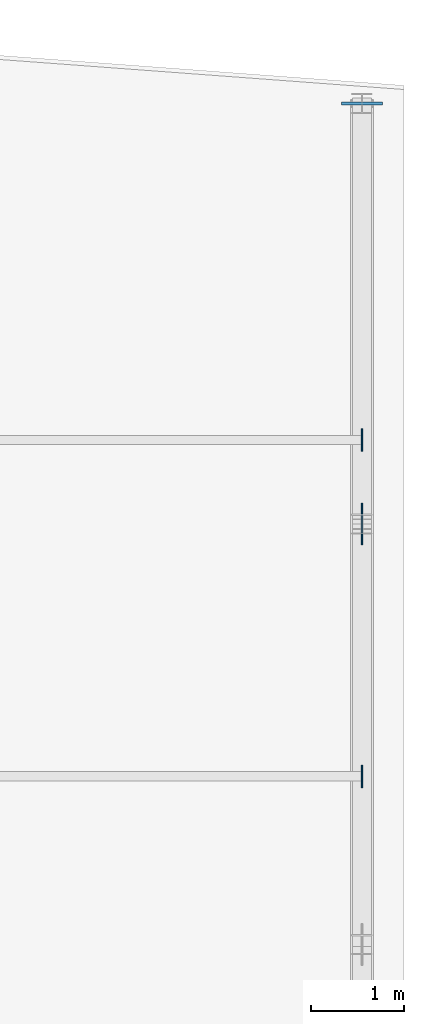
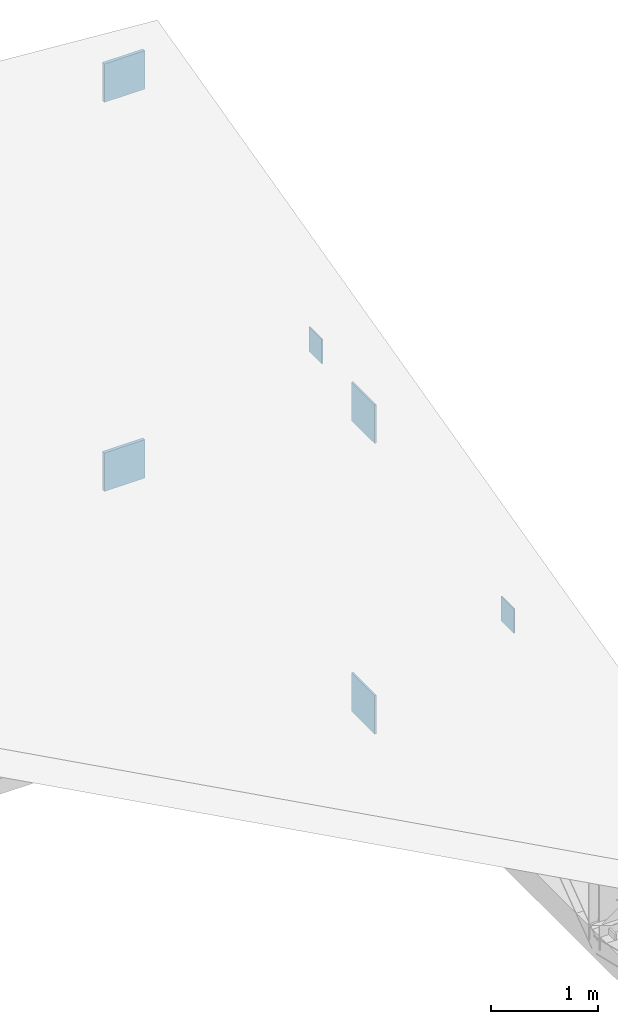
# One storey, part 28 of 36: 6 plates.
"""IFC4 building model written with IfcOpenShell, lengths in metres."""

import ifcopenshell
import ifcopenshell.guid

model = None  # the IFC model being written
_history = None  # IfcOwnerHistory: only IFC2X3 demands one
_inside = {}  # id of a spatial element -> (the spatial element, [elements in it])
_under = {}  # id of a project, library or spatial element -> (it, [spatial elements below it])
_declared = {}  # id of a project -> (the project, [libraries it declares])
_typed = {}  # id of a type object -> (the type object, [elements of that type])
_made_of = {}  # id of a material, layer set ... -> (it, [elements and type objects made of it])


def new_model(schema):
    """Start an empty IFC model of exactly this schema.

    Asked for "IFC4X3", IfcOpenShell would pick the latest addendum, in which some entities
    have other attributes; the version numbers below select the first issue.
    IFC2X3 requires an IfcOwnerHistory on every rooted entity: one is made here for all.
    """
    global model, _history
    if schema == "IFC4X3":
        model = ifcopenshell.file(schema_version=(4, 3, 0, 0))
    else:
        model = ifcopenshell.file(schema=schema)
    _inside.clear()
    _under.clear()
    _declared.clear()
    _typed.clear()
    _made_of.clear()
    _history = None
    if model.schema == "IFC2X3":
        org = make("IfcOrganization", Name="unknown")
        user = make(
            "IfcPersonAndOrganization",
            ThePerson=make("IfcPerson", FamilyName="unknown"),
            TheOrganization=org,
        )
        app = make(
            "IfcApplication",
            ApplicationDeveloper=org,
            Version="unknown",
            ApplicationFullName="unknown",
            ApplicationIdentifier="unknown",
        )
        _history = make(
            "IfcOwnerHistory",
            OwningUser=user,
            OwningApplication=app,
            ChangeAction="ADDED",
            CreationDate=0,
        )
    return model


def make(cls, **values):
    """One entity of the class cls with the attributes given. An attribute that is None is left unset."""
    return model.create_entity(
        cls, **{name: value for name, value in values.items() if value is not None}
    )


def rooted(cls, **values):
    """An entity with a GlobalId (a new one), such as an element, a storey or a relation."""
    return make(cls, GlobalId=ifcopenshell.guid.new(), OwnerHistory=_history, **values)


def si_unit(unit_type, name, prefix=None):
    """IfcSIUnit, for example si_unit("LENGTHUNIT", "METRE", prefix="MILLI")."""
    return make("IfcSIUnit", UnitType=unit_type, Prefix=prefix, Name=name)


def assignment(units):
    """IfcUnitAssignment: the units of a project."""
    return None if units is None else make("IfcUnitAssignment", Units=units)


def point(xyz):
    """IfcCartesianPoint."""
    return None if xyz is None else make("IfcCartesianPoint", Coordinates=xyz)


def direction(xyz):
    """IfcDirection."""
    return None if xyz is None else make("IfcDirection", DirectionRatios=xyz)


def frame(location, z_axis=None, x_axis=None):
    """IfcAxis2Placement3D, a coordinate frame: its origin and axes. An axis left out is left unset."""
    return make(
        "IfcAxis2Placement3D",
        Location=point(location),
        Axis=direction(z_axis),
        RefDirection=direction(x_axis),
    )


def frame_2d(location, x_axis=None):
    """IfcAxis2Placement2D, a coordinate frame in the plane: its origin and x axis."""
    return make(
        "IfcAxis2Placement2D", Location=point(location), RefDirection=direction(x_axis)
    )


def origin():
    """The frame at (0, 0, 0) with its axes left unset."""
    return frame((0.0, 0.0, 0.0))


def origin_2d():
    """The frame at (0, 0) in the plane with its x axis left unset."""
    return frame_2d((0.0, 0.0))


def place(relative_to, where):
    """IfcLocalPlacement: puts the frame where relative to a parent placement (None: the world)."""
    return make(
        "IfcLocalPlacement", PlacementRelTo=relative_to, RelativePlacement=where
    )


def context(
    kind, dimensions, precision=None, world=None, true_north=None, identifier=None
):
    """IfcGeometricRepresentationContext, for example the 3D "Model" context."""
    return make(
        "IfcGeometricRepresentationContext",
        ContextIdentifier=identifier,
        ContextType=kind,
        CoordinateSpaceDimension=dimensions,
        Precision=precision,
        WorldCoordinateSystem=world,
        TrueNorth=true_north,
    )


def subcontext(parent, identifier, kind, view, scale=None):
    """IfcGeometricRepresentationSubContext, for example "Body" below "Model"."""
    return make(
        "IfcGeometricRepresentationSubContext",
        ContextIdentifier=identifier,
        ContextType=kind,
        ParentContext=parent,
        TargetScale=scale,
        TargetView=view,
    )


def project(units=None, contexts=None):
    """IfcProject with its units and contexts."""
    return rooted(
        "IfcProject",
        Name="project",
        RepresentationContexts=contexts,
        UnitsInContext=assignment(units),
    )


def spatial(cls, under=None, at=None, **own):
    """A site, building, storey or space (cls), placed at a placement, below another one or the project."""
    s = rooted(cls, ObjectPlacement=at, **own)
    if under is not None:
        _under.setdefault(under.id(), (under, []))[1].append(s)
    return s


def profile(cls, at=None, kind="AREA", **sizes):
    """A parametric profile (cls). Its sizes go by their IFC names, for example OverallWidth=200.0."""
    return make(cls, ProfileType=kind, Position=at, **sizes)


def rectangle(**sizes):
    """IfcRectangleProfileDef."""
    return profile("IfcRectangleProfileDef", **sizes)


def extrude(swept, where, along, depth):
    """IfcExtrudedAreaSolid: the profile swept, set in the frame where, extruded along a direction by depth."""
    return make(
        "IfcExtrudedAreaSolid",
        SweptArea=swept,
        Position=where,
        ExtrudedDirection=direction(along),
        Depth=depth,
    )


def shape(context_of_items, identifier, shape_type, items):
    """IfcShapeRepresentation: the items that make up one representation, for example the "Body"."""
    return make(
        "IfcShapeRepresentation",
        ContextOfItems=context_of_items,
        RepresentationIdentifier=identifier,
        RepresentationType=shape_type,
        Items=items,
    )


def material(Name=None, Category=None):
    """IfcMaterial."""
    return make("IfcMaterial", Name=Name, Category=Category)


def layer(
    of_material, thickness, ventilated=None, Name=None, Category=None, Priority=None
):
    """IfcMaterialLayer: one layer of a wall or slab, of a material (None: an air gap)."""
    return make(
        "IfcMaterialLayer",
        Material=of_material,
        LayerThickness=thickness,
        IsVentilated=ventilated,
        Name=Name,
        Category=Category,
        Priority=Priority,
    )


def layer_set(layers, Name=None):
    """IfcMaterialLayerSet."""
    return make("IfcMaterialLayerSet", MaterialLayers=layers, LayerSetName=Name)


def made_of(thing, what):
    """Note that an element or type object is made of a material, layer set ...; save() writes the relation."""
    if what is not None:
        _made_of.setdefault(what.id(), (what, []))[1].append(thing)
    return thing


def type_object(cls, material=None, **own):
    """A type object (cls), such as IfcWallType, which elements share."""
    return made_of(rooted(cls, **own), material)


def element(
    cls,
    number,
    at=None,
    inside=None,
    cuts=None,
    type_object=None,
    material=None,
    context=None,
    identifier="Body",
    shape_type=None,
    held_by="IfcProductDefinitionShape",
    body=None,
    shapes=None,
    **own,
):
    """One element of the class cls, such as IfcWall. Its Tag is "e" and its number.

    at: its placement. inside: the storey or other place that contains it. cuts: it is an
    opening in that element (IfcRelVoidsElement). A single representation is given by context,
    identifier, shape_type and body (its items); several are given by shapes. held_by: the class
    of the entity that holds the representations. save() writes the other relations.
    """
    e = rooted(cls, Tag="e%d" % number, ObjectPlacement=at, **own)
    if body is not None:
        shapes = [shape(context, identifier, shape_type, body)]
    if shapes is not None:
        e.Representation = make(held_by, Representations=shapes)
    if inside is not None:
        _inside.setdefault(inside.id(), (inside, []))[1].append(e)
    if cuts is not None:
        rooted(
            "IfcRelVoidsElement", RelatingBuildingElement=cuts, RelatedOpeningElement=e
        )
    if type_object is not None:
        _typed.setdefault(type_object.id(), (type_object, []))[1].append(e)
    return made_of(e, material)


def aggregate(whole, parts):
    """IfcRelAggregates: a whole, such as a stair, and the parts it consists of."""
    return rooted("IfcRelAggregates", RelatingObject=whole, RelatedObjects=parts)


def save(model, path):
    """Write the relations noted so far, then the file.

    IfcRelAggregates (storeys below a building ...), IfcRelContainedInSpatialStructure (elements
    in a storey), IfcRelDefinesByType, IfcRelAssociatesMaterial and IfcRelDeclares: one each for
    every whole, place, type object, material and project.
    """
    for whole, parts in _under.values():
        aggregate(whole, parts)
    for where, things in _inside.values():
        rooted(
            "IfcRelContainedInSpatialStructure",
            RelatedElements=things,
            RelatingStructure=where,
        )
    for kind, things in _typed.values():
        rooted("IfcRelDefinesByType", RelatedObjects=things, RelatingType=kind)
    for what, things in _made_of.values():
        rooted("IfcRelAssociatesMaterial", RelatedObjects=things, RelatingMaterial=what)
    for by, libraries in _declared.values():
        rooted("IfcRelDeclares", RelatingContext=by, RelatedDefinitions=libraries)
    model.write(path)


model = new_model("IFC4")

# Units and contexts
model_context = context("Model", 3, precision=1e-05, world=origin(), true_north=direction((0.0, 1.0)))
body_context = subcontext(model_context, "Body", "Model", "MODEL_VIEW")
ifc_project = project(units=[si_unit("LENGTHUNIT", "METRE"), si_unit("AREAUNIT", "SQUARE_METRE"), si_unit("VOLUMEUNIT", "CUBIC_METRE"), si_unit("PLANEANGLEUNIT", "RADIAN"), si_unit("MASSUNIT", "GRAM", prefix="KILO")], contexts=[model_context])

# Site, building, storey
site_placement = place(None, origin())
site = spatial("IfcSite", under=ifc_project, at=site_placement, CompositionType="ELEMENT")
building_placement = place(site_placement, origin())
building = spatial("IfcBuilding", under=site, at=building_placement, Name="Montelvaro Courts of Justice", CompositionType="ELEMENT")
storey_placement = place(building_placement, frame((0.0, 0.0, 23.39990234375)))
storey = spatial("IfcBuildingStorey", under=building, at=storey_placement, Name="L05", CompositionType="ELEMENT", Elevation=23.39990234375)

# Plates
ifc_material = material(Name="Steel S355", Category="steel")
ifc_layer_1 = layer(ifc_material, 0.011962890625)
ifc_layer_set_1 = layer_set([ifc_layer_1], Name="Steel S355")
plate_type_1 = type_object("IfcPlateType", Name="EndCapPlate_12", PredefinedType="USERDEFINED", material=ifc_layer_set_1)
for number, where, z_axis, x_axis, name in (
    (1, (162.0, 88.800048828125, 2.2099609375), (0.0, 0.0, 1.0), (1.0, 0.0, 0.0), "Purlin End Cap Plate CP-01 07-3M-B"),
    (2, (162.0, 92.39990234375, 3.10986328125), (0.0, 0.0, 1.0), (1.0, 0.0, 0.0), "Purlin End Cap Plate CP-01 07-4M-B"),
):
    element("IfcPlate", number, at=place(storey_placement, frame(where, z_axis=z_axis, x_axis=x_axis)), inside=storey, type_object=plate_type_1, Name=name, ObjectType="GUSSET PLATE", PredefinedType="USERDEFINED", context=body_context, shape_type="SweptSolid", body=[
        extrude(rectangle(XDim=0.011962890625, YDim=0.239990234375, at=origin_2d()), origin(), (0.0, 0.0, 1.0), 0.280029296875),
    ])
ifc_layer_2 = layer(ifc_material, 0.035888671875)
ifc_layer_set_2 = layer_set([ifc_layer_2], Name="Steel S355")
plate_type_2 = type_object("IfcPlateType", Name="EndCapPlate_36", PredefinedType="USERDEFINED", material=ifc_layer_set_2)
for number, where, z_axis, x_axis, name in (
    (3, (162.0, 96.0, -0.519775390625), (0.0, 0.0, 1.0), (1.0, 0.0, 0.0), "Roof Truss End Cap Plate CP-02 ROOF-V2-VTR08-B1"),
    (4, (162.0, 96.0, 3.93017578125), (0.0, 0.0, 1.0), (1.0, 0.0, 0.0), "Roof Truss End Cap Plate CP-02 ROOF-V2-VTR08-T1"),
):
    element("IfcPlate", number, at=place(storey_placement, frame(where, z_axis=z_axis, x_axis=x_axis)), inside=storey, type_object=plate_type_2, Name=name, ObjectType="GUSSET PLATE", PredefinedType="USERDEFINED", context=body_context, shape_type="SweptSolid", body=[
        extrude(rectangle(XDim=0.43994140625, YDim=0.035888671875, at=origin_2d()), origin(), (0.0, 0.0, 1.0), 0.43994140625),
    ])
ifc_layer_3 = layer(ifc_material, 0.02001953125)
ifc_layer_set_3 = layer_set([ifc_layer_3], Name="Steel S355")
plate_type_3 = type_object("IfcPlateType", Name="GussetPlate_20", PredefinedType="USERDEFINED", material=ifc_layer_set_3)
for number, where, z_axis, x_axis, name in (
    (5, (162.0, 91.5, -0.519775390625), (0.0, 0.0, 1.0), (1.0, 0.0, 0.0), "Roof Truss Gusset Plate GP-01 ROOF-V2-VTR08-3B"),
    (6, (162.0, 91.5, 2.80517578125), (0.0, 0.0, 1.0), (1.0, 0.0, 0.0), "Roof Truss Gusset Plate GP-01 ROOF-V2-VTR08-3T"),
):
    element("IfcPlate", number, at=place(storey_placement, frame(where, z_axis=z_axis, x_axis=x_axis)), inside=storey, type_object=plate_type_3, Name=name, ObjectType="GUSSET PLATE", PredefinedType="USERDEFINED", context=body_context, shape_type="SweptSolid", body=[
        extrude(rectangle(XDim=0.02001953125, YDim=0.43994140625, at=origin_2d()), origin(), (0.0, 0.0, 1.0), 0.43994140625),
    ])

save(model, "model.ifc")
